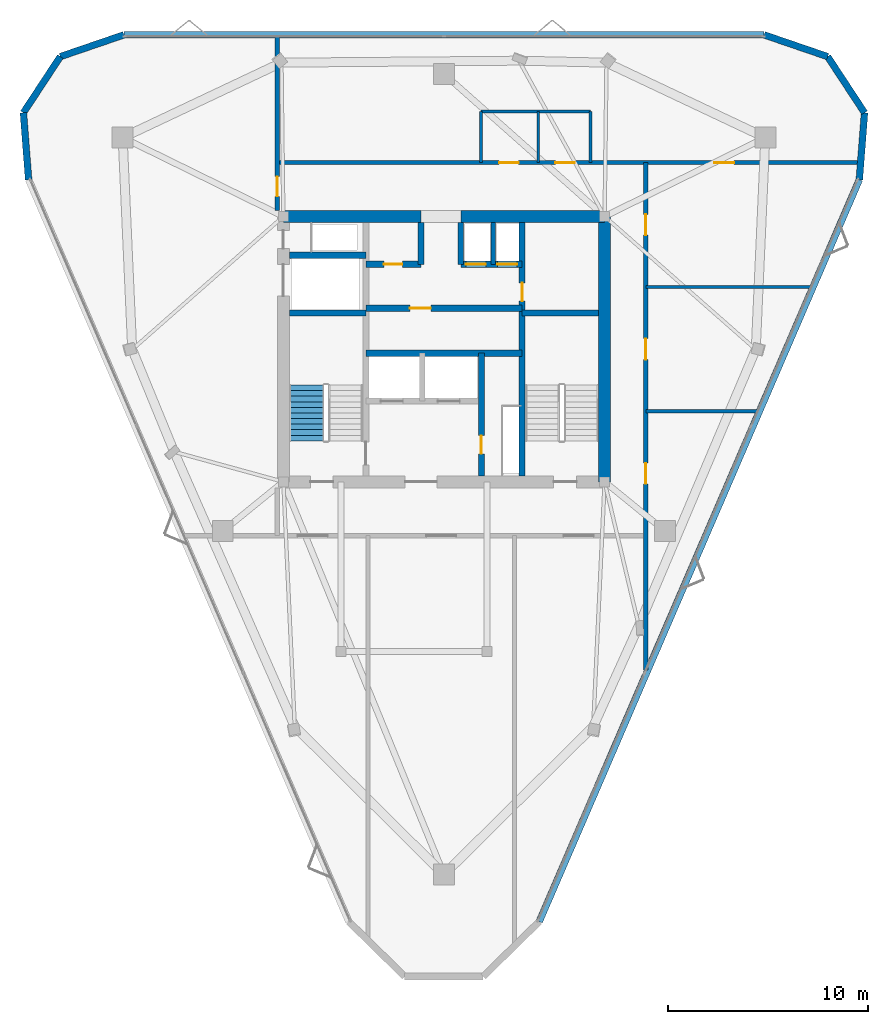
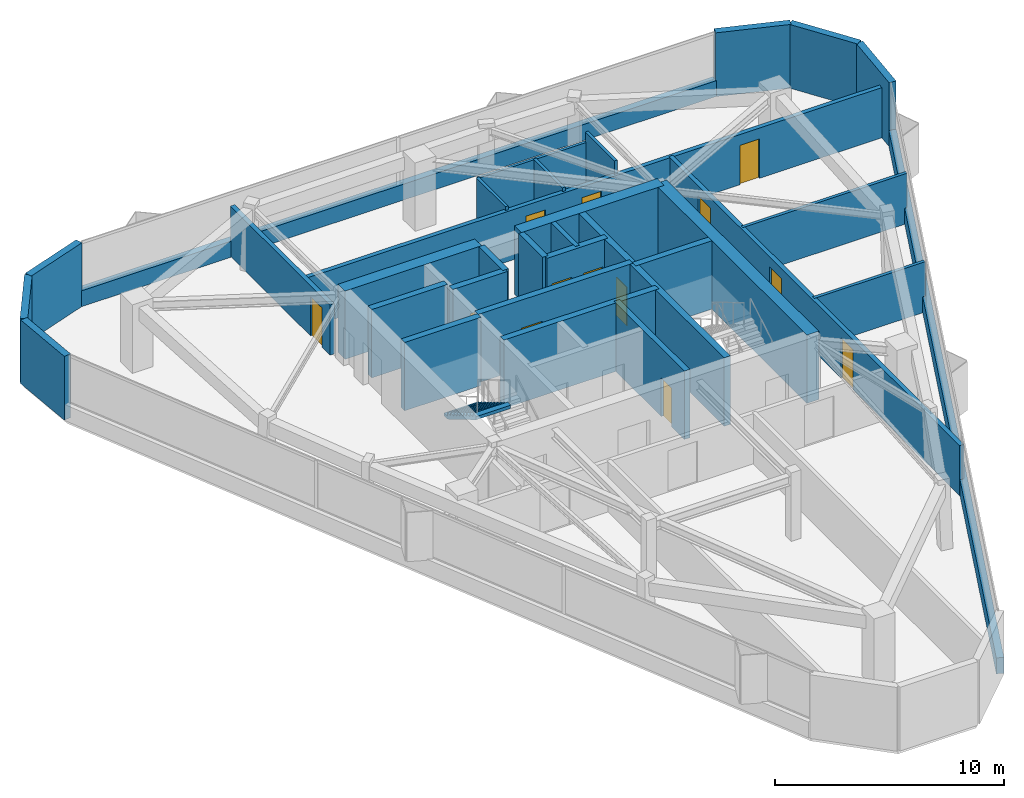
# One storey, part 7 of 9: 32 walls, 13 doors, 1 stair flight, 13 openings, 1 element without a shape of its own.
"""IFC4 building model written with IfcOpenShell, lengths in metres."""

from ifc_helpers import new_model, si_unit, direction, frame, frame_2d, origin, place, context, subcontext, project, spatial, polyline, rectangle, outline, extrude, material, layer, layer_set, type_object, element, fill, aggregate, save


model = new_model("IFC4")

# Units and contexts
model_context = context("Model", 3, precision=1e-05, world=origin(), true_north=direction((0.0, 1.0)))
body_context = subcontext(model_context, "Body", "Model", "MODEL_VIEW")
ifc_project = project(units=[si_unit("LENGTHUNIT", "METRE"), si_unit("AREAUNIT", "SQUARE_METRE"), si_unit("VOLUMEUNIT", "CUBIC_METRE"), si_unit("PLANEANGLEUNIT", "RADIAN"), si_unit("MASSUNIT", "GRAM", prefix="KILO")], contexts=[model_context])

# Site, building, storey
site_placement = place(None, origin())
site = spatial("IfcSite", under=ifc_project, at=site_placement, CompositionType="ELEMENT")
building_placement = place(site_placement, origin())
building = spatial("IfcBuilding", under=site, at=building_placement, Name="Talyreon Biosciences Tower", CompositionType="ELEMENT")
storey_placement = place(building_placement, frame((0.0, 0.0, 298.39990234375)))
storey = spatial("IfcBuildingStorey", under=building, at=storey_placement, Name="L79", CompositionType="ELEMENT", Elevation=298.39990234375)

# Walls
ifc_material_1 = material(Name="Concrete C50/60", Category="concrete")
ifc_layer_1 = layer(ifc_material_1, 0.219970703125)
ifc_layer_set_1 = layer_set([ifc_layer_1], Name="Concrete C50/60")
wall_type_1 = type_object("IfcWallType", Name="CoreShearWall_220", PredefinedType="SHEAR", material=ifc_layer_set_1)
wall_1_placement = place(storey_placement, frame((68.4599609375, 72.25, 0.0), z_axis=(0.0, 0.0, 1.0), x_axis=(0.0, 1.0, 0.0)))
element("IfcWall", 1, at=wall_1_placement, inside=storey, type_object=wall_type_1, Name="L79 Core Shaft Wall SWPHD", PredefinedType="SHEAR", context=body_context, shape_type="SweptSolid", body=[
    extrude(rectangle(XDim=2.10009765625, YDim=0.219970703125, at=frame_2d((1.050048828125, 0.0))), origin(), (0.0, 0.0, 1.0), 3.650146484375),
])
ifc_layer_2 = layer(ifc_material_1, 0.280029296875)
ifc_layer_set_2 = layer_set([ifc_layer_2], Name="Concrete C50/60")
wall_type_2 = type_object("IfcWallType", Name="CoreShearWall_280", PredefinedType="SHEAR", material=ifc_layer_set_2)
for number, where, z_axis, x_axis, name in (
    (2, (64.85009765625, 72.25, 0.0), (0.0, 0.0, 1.0), (0.0, 1.0, 0.0), "L79 Core Shaft Wall SWTHW"),
    (3, (66.85009765625, 72.25, 0.0), (0.0, 0.0, 1.0), (0.0, 1.0, 0.0), "L79 Core Shaft Wall SWTHE"),
):
    element("IfcWall", number, at=place(storey_placement, frame(where, z_axis=z_axis, x_axis=x_axis)), inside=storey, type_object=wall_type_2, Name=name, PredefinedType="SHEAR", context=body_context, shape_type="SweptSolid", body=[
        extrude(rectangle(XDim=2.10009765625, YDim=0.280029296875, at=frame_2d((1.050048828125, 0.0))), origin(), (0.0, 0.0, 1.0), 3.650146484375),
    ])

# Wall, opening, door
wall_2_placement = place(storey_placement, frame((67.8798828125, 61.64990234375, 0.0), z_axis=(0.0, 0.0, 1.0), x_axis=(0.0, 1.0, 0.0)))
wall_2 = element("IfcWall", 4, at=wall_2_placement, inside=storey, type_object=wall_type_2, Name="L79 Core Shaft Wall SWFFE", PredefinedType="SHEAR", context=body_context, shape_type="SweptSolid", body=[
    extrude(rectangle(XDim=6.150146484375, YDim=0.280029296875, at=frame_2d((3.0751953125, 0.0))), origin(), (0.0, 0.0, 1.0), 3.650146484375),
])
opening_1_placement = place(wall_2_placement, frame((1.10009765625, 0.0, 0.0)))
opening_1 = element("IfcOpeningElement", 5, at=opening_1_placement, cuts=wall_2, Name="Opening DR-L79-RSE", PredefinedType="OPENING", context=body_context, shape_type="SweptSolid", body=[
    extrude(rectangle(XDim=0.919921875, YDim=2.050048828125, at=frame_2d((0.4599609375, 1.02490234375))), frame((0.0, 0.14990234375, 0.0), z_axis=(0.0, -1.0, 0.0), x_axis=(1.0, 0.0, 0.0)), (0.0, 0.0, 1.0), 0.300048828125),
])
ifc_material_2 = material(Name="Painted steel fire-rated riser door", Category="steel")
door_type_1 = type_object("IfcDoorType", Name="RiserPlantAccessDoor_920x2050", OperationType="NOTDEFINED", PredefinedType="DOOR", material=ifc_material_2)
door_1_placement = place(opening_1_placement, origin())
door_1 = element("IfcDoor", 6, at=door_1_placement, inside=storey, type_object=door_type_1, Name="L79 Core Door DR-L79-RSE", OperationType="SINGLE_SWING_RIGHT", OverallHeight=2.050048828125, OverallWidth=0.919921875, PredefinedType="DOOR", context=body_context, shape_type="SweptSolid", body=[
    extrude(rectangle(XDim=0.919921875, YDim=2.050048828125, at=frame_2d((0.4599609375, 1.02490234375))), frame((0.0, 0.02490234375, 0.0), z_axis=(0.0, -1.0, 0.0), x_axis=(1.0, 0.0, 0.0)), (0.0, 0.0, 1.0), 0.050048828125),
])
fill(opening_1, door_1)

ifc_layer_3 = layer(ifc_material_1, 0.320068359375)
ifc_layer_set_3 = layer_set([ifc_layer_3], Name="Concrete C50/60")
wall_type_3 = type_object("IfcWallType", Name="CoreShearWall_320", PredefinedType="SHEAR", material=ifc_layer_set_3)
wall_3_placement = place(storey_placement, frame((69.909912109375, 61.64990234375, 0.0), z_axis=(0.0, 0.0, 1.0), x_axis=(0.0, 1.0, 0.0)))
wall_3 = element("IfcWall", 7, at=wall_3_placement, inside=storey, type_object=wall_type_3, Name="L79 Core Shaft Wall SW2W", PredefinedType="SHEAR", context=body_context, shape_type="SweptSolid", body=[
    extrude(rectangle(XDim=12.7001953125, YDim=0.320068359375, at=frame_2d((6.35009765625, 0.0))), origin(), (0.0, 0.0, 1.0), 3.650146484375),
])
opening_2_placement = place(wall_3_placement, frame((8.75, 0.0, 0.0)))
opening_2 = element("IfcOpeningElement", 8, at=opening_2_placement, cuts=wall_3, Name="Opening DR-L79-CSRV", PredefinedType="OPENING", context=body_context, shape_type="SweptSolid", body=[
    extrude(rectangle(XDim=0.919921875, YDim=2.050048828125, at=frame_2d((0.4599609375, 1.02490234375))), frame((0.0, 0.169921875, 0.0), z_axis=(0.0, -1.0, 0.0), x_axis=(1.0, 0.0, 0.0)), (0.0, 0.0, 1.0), 0.340087890625),
])
door_2_placement = place(opening_2_placement, origin())
door_2 = element("IfcDoor", 9, at=door_2_placement, inside=storey, type_object=door_type_1, Name="L79 Core Door DR-L79-CSRV", OperationType="SINGLE_SWING_RIGHT", OverallHeight=2.050048828125, OverallWidth=0.919921875, PredefinedType="DOOR", context=body_context, shape_type="SweptSolid", body=[
    extrude(rectangle(XDim=0.919921875, YDim=2.050048828125, at=frame_2d((0.4599609375, 1.02490234375))), frame((0.0, 0.02490234375, 0.0), z_axis=(0.0, -1.0, 0.0), x_axis=(1.0, 0.0, 0.0)), (0.0, 0.0, 1.0), 0.050048828125),
])
fill(opening_2, door_2)

# Walls
for number, where, z_axis, x_axis, name in (
    (10, (58.25, 69.81005859375, 0.0), (0.0, 0.0, 1.0), (1.0, 0.0, 0.0), "L79 Core Shaft Wall SW1N"),
    (11, (69.909912109375, 69.81005859375, 0.0), (0.0, 0.0, 1.0), (1.0, 0.0, 0.0), "L79 Core Shaft Wall SW2N"),
    (12, (58.25, 72.699951171875, 0.0), (0.0, 0.0, 1.0), (1.0, 0.0, 0.0), "L79 Core Shaft Wall SWGLN"),
):
    element("IfcWall", number, at=place(storey_placement, frame(where, z_axis=z_axis, x_axis=x_axis)), inside=storey, type_object=wall_type_3, Name=name, PredefinedType="SHEAR", context=body_context, shape_type="SweptSolid", body=[
        extrude(rectangle(XDim=3.840087890625, YDim=0.320068359375, at=frame_2d((1.919921875, 0.0))), origin(), (0.0, 0.0, 1.0), 3.650146484375),
    ])
wall_4_placement = place(storey_placement, frame((62.090087890625, 67.800048828125, 0.0), z_axis=(0.0, 0.0, 1.0), x_axis=(1.0, 0.0, 0.0)))
element("IfcWall", 13, at=wall_4_placement, inside=storey, type_object=wall_type_3, Name="L79 Core Shaft Wall SWSHM", PredefinedType="SHEAR", context=body_context, shape_type="SweptSolid", body=[
    extrude(rectangle(XDim=7.81982421875, YDim=0.320068359375, at=frame_2d((3.909912109375, 0.0))), origin(), (0.0, 0.0, 1.0), 3.650146484375),
])

# Wall, opening, door
wall_5_placement = place(storey_placement, frame((62.090087890625, 70.050048828125, 0.0), z_axis=(0.0, 0.0, 1.0), x_axis=(1.0, 0.0, 0.0)))
wall_5 = element("IfcWall", 14, at=wall_5_placement, inside=storey, type_object=wall_type_3, Name="L79 Core Shaft Wall SWSPN", PredefinedType="SHEAR", context=body_context, shape_type="SweptSolid", body=[
    extrude(rectangle(XDim=7.81982421875, YDim=0.320068359375, at=frame_2d((3.909912109375, 0.0))), origin(), (0.0, 0.0, 1.0), 3.650146484375),
])
opening_3_placement = place(wall_5_placement, frame((2.199951171875, 0.0, 0.0)))
opening_3 = element("IfcOpeningElement", 15, at=opening_3_placement, cuts=wall_5, Name="Opening DR-L79-PLPMFREE", PredefinedType="OPENING", context=body_context, shape_type="SweptSolid", body=[
    extrude(rectangle(XDim=1.050048828125, YDim=2.14990234375, at=frame_2d((0.52490234375, 1.074951171875))), frame((0.0, 0.169921875, 0.0), z_axis=(0.0, -1.0, 0.0), x_axis=(1.0, 0.0, 0.0)), (0.0, 0.0, 1.0), 0.340087890625),
])
ifc_material_3 = material(Name="Acoustic timber-core laboratory door", Category="wood")
door_type_2 = type_object("IfcDoorType", Name="DryLabSingleDoor_1050x2150", OperationType="NOTDEFINED", PredefinedType="DOOR", material=ifc_material_3)
door_3_placement = place(opening_3_placement, origin())
door_3 = element("IfcDoor", 16, at=door_3_placement, inside=storey, type_object=door_type_2, Name="L79 Core Door DR-L79-PLPMFREE", OperationType="SINGLE_SWING_LEFT", OverallHeight=2.14990234375, OverallWidth=1.050048828125, PredefinedType="DOOR", context=body_context, shape_type="SweptSolid", body=[
    extrude(rectangle(XDim=1.050048828125, YDim=2.14990234375, at=frame_2d((0.52490234375, 1.074951171875))), frame((0.0, 0.02490234375, 0.0), z_axis=(0.0, -1.0, 0.0), x_axis=(1.0, 0.0, 0.0)), (0.0, 0.0, 1.0), 0.050048828125),
])
fill(opening_3, door_3)

wall_6_placement = place(storey_placement, frame((62.090087890625, 72.25, 0.0), z_axis=(0.0, 0.0, 1.0), x_axis=(1.0, 0.0, 0.0)))
wall_6 = element("IfcWall", 17, at=wall_6_placement, inside=storey, type_object=wall_type_3, Name="L79 Core Shaft Wall SWNPW", PredefinedType="SHEAR", context=body_context, shape_type="SweptSolid", body=[
    extrude(rectangle(XDim=2.760009765625, YDim=0.320068359375, at=frame_2d((1.3798828125, 0.0))), origin(), (0.0, 0.0, 1.0), 3.650146484375),
])
opening_4_placement = place(wall_6_placement, frame((0.89990234375, 0.0, 0.0)))
opening_4 = element("IfcOpeningElement", 18, at=opening_4_placement, cuts=wall_6, Name="Opening DR-L79-PM2FREE", PredefinedType="OPENING", context=body_context, shape_type="SweptSolid", body=[
    extrude(rectangle(XDim=0.919921875, YDim=2.050048828125, at=frame_2d((0.4599609375, 1.02490234375))), frame((0.0, 0.169921875, 0.0), z_axis=(0.0, -1.0, 0.0), x_axis=(1.0, 0.0, 0.0)), (0.0, 0.0, 1.0), 0.340087890625),
])
door_4_placement = place(opening_4_placement, origin())
door_4 = element("IfcDoor", 19, at=door_4_placement, inside=storey, type_object=door_type_1, Name="L79 Core Door DR-L79-PM2FREE", OperationType="SINGLE_SWING_RIGHT", OverallHeight=2.050048828125, OverallWidth=0.919921875, PredefinedType="DOOR", context=body_context, shape_type="SweptSolid", body=[
    extrude(rectangle(XDim=0.919921875, YDim=2.050048828125, at=frame_2d((0.4599609375, 1.02490234375))), frame((0.0, 0.02490234375, 0.0), z_axis=(0.0, -1.0, 0.0), x_axis=(1.0, 0.0, 0.0)), (0.0, 0.0, 1.0), 0.050048828125),
])
fill(opening_4, door_4)

# Wall, openings, doors
wall_7_placement = place(storey_placement, frame((66.85009765625, 72.25, 0.0), z_axis=(0.0, 0.0, 1.0), x_axis=(1.0, 0.0, 0.0)))
wall_7 = element("IfcWall", 20, at=wall_7_placement, inside=storey, type_object=wall_type_3, Name="L79 Core Shaft Wall SWNPE", PredefinedType="SHEAR", context=body_context, shape_type="SweptSolid", body=[
    extrude(rectangle(XDim=3.059814453125, YDim=0.320068359375, at=frame_2d((1.52978515625, 0.0))), origin(), (0.0, 0.0, 1.0), 3.650146484375),
])
opening_5_placement = place(wall_7_placement, frame((0.25, 0.0, 0.0)))
opening_5 = element("IfcOpeningElement", 21, at=opening_5_placement, cuts=wall_7, Name="Opening LD-L79-PH1", PredefinedType="OPENING", context=body_context, shape_type="SweptSolid", body=[
    extrude(rectangle(XDim=1.0, YDim=2.199951171875, at=frame_2d((0.5, 1.10009765625))), frame((0.0, 0.169921875, 0.0), z_axis=(0.0, -1.0, 0.0), x_axis=(1.0, 0.0, 0.0)), (0.0, 0.0, 1.0), 0.340087890625),
])
opening_6_placement = place(wall_7_placement, frame((1.820068359375, 0.0, 0.0)))
opening_6 = element("IfcOpeningElement", 22, at=opening_6_placement, cuts=wall_7, Name="Opening LD-L79-PH2", PredefinedType="OPENING", context=body_context, shape_type="SweptSolid", body=[
    extrude(rectangle(XDim=1.0, YDim=2.199951171875, at=frame_2d((0.5, 1.10009765625))), frame((0.0, 0.169921875, 0.0), z_axis=(0.0, -1.0, 0.0), x_axis=(1.0, 0.0, 0.0)), (0.0, 0.0, 1.0), 0.340087890625),
])
ifc_material_4 = material(Name="Brushed stainless-steel lift landing door", Category="steel")
door_type_3 = type_object("IfcDoorType", Name="LiftSlidingLandingDoor_1100x2200", OperationType="SLIDING_TO_LEFT", PredefinedType="DOOR", material=ifc_material_4)
door_5_placement = place(opening_5_placement, origin())
door_5 = element("IfcDoor", 23, at=door_5_placement, inside=storey, type_object=door_type_3, Name="L79 Core Door LD-L79-PH1", OperationType="SLIDING_TO_LEFT", OverallHeight=2.199951171875, OverallWidth=1.0, PredefinedType="DOOR", context=body_context, shape_type="SweptSolid", body=[
    extrude(rectangle(XDim=1.0, YDim=2.199951171875, at=frame_2d((0.5, 1.10009765625))), frame((0.0, 0.02490234375, 0.0), z_axis=(0.0, -1.0, 0.0), x_axis=(1.0, 0.0, 0.0)), (0.0, 0.0, 1.0), 0.050048828125),
])
fill(opening_5, door_5)
door_6_placement = place(opening_6_placement, origin())
door_6 = element("IfcDoor", 24, at=door_6_placement, inside=storey, type_object=door_type_3, Name="L79 Core Door LD-L79-PH2", OperationType="SLIDING_TO_LEFT", OverallHeight=2.199951171875, OverallWidth=1.0, PredefinedType="DOOR", context=body_context, shape_type="SweptSolid", body=[
    extrude(rectangle(XDim=1.0, YDim=2.199951171875, at=frame_2d((0.5, 1.10009765625))), frame((0.0, 0.02490234375, 0.0), z_axis=(0.0, -1.0, 0.0), x_axis=(1.0, 0.0, 0.0)), (0.0, 0.0, 1.0), 0.050048828125),
])
fill(opening_6, door_6)

# Walls
ifc_layer_4 = layer(ifc_material_1, 0.60009765625)
ifc_layer_set_4 = layer_set([ifc_layer_4], Name="Concrete C50/60")
wall_type_4 = type_object("IfcWallType", Name="CoreShearWall_600", PredefinedType="SHEAR", material=ifc_layer_set_4)
wall_8_placement = place(storey_placement, frame((74.050048828125, 61.35009765625, 0.0), z_axis=(0.0, 0.0, 1.0), x_axis=(0.0, 1.0, 0.0)))
element("IfcWall", 25, at=wall_8_placement, inside=storey, type_object=wall_type_4, Name="L79 Core Shear Wall E", PredefinedType="SHEAR", context=body_context, shape_type="SweptSolid", body=[
    extrude(rectangle(XDim=13.2998046875, YDim=0.60009765625, at=frame_2d((6.64990234375, 0.0))), origin(), (0.0, 0.0, 1.0), 3.650146484375),
])
wall_9_placement = place(storey_placement, frame((74.050048828125, 74.64990234375, 0.0), z_axis=(0.0, 0.0, 1.0), x_axis=(-1.0, 0.0, 0.0)))
element("IfcWall", 26, at=wall_9_placement, inside=storey, type_object=wall_type_4, Name="L79 Core Shear Wall NE", PredefinedType="SHEAR", context=body_context, shape_type="SweptSolid", body=[
    extrude(rectangle(XDim=7.199951171875, YDim=0.60009765625, at=frame_2d((3.60009765625, 0.0))), origin(), (0.0, 0.0, 1.0), 3.650146484375),
])
wall_10_placement = place(storey_placement, frame((64.85009765625, 74.64990234375, 0.0), z_axis=(0.0, 0.0, 1.0), x_axis=(-1.0, 0.0, 0.0)))
element("IfcWall", 27, at=wall_10_placement, inside=storey, type_object=wall_type_4, Name="L79 Core Shear Wall NW", PredefinedType="SHEAR", context=body_context, shape_type="SweptSolid", body=[
    extrude(rectangle(XDim=6.900146484375, YDim=0.60009765625, at=frame_2d((3.4501953125, 0.0))), origin(), (0.0, 0.0, 1.0), 3.650146484375),
])

# Wall, openings, doors
ifc_material_5 = material(Name="Gypsum fireboard acoustic stud", Category="gypsum")
ifc_layer_5 = layer(ifc_material_5, 0.219970703125)
ifc_layer_set_5 = layer_set([ifc_layer_5], Name="Gypsum fireboard acoustic stud")
wall_type_5 = type_object("IfcWallType", Name="CorridorRatedPartition_220", PredefinedType="PARTITIONING", material=ifc_layer_set_5)
wall_11_placement = place(storey_placement, frame((57.64990234375, 77.35009765625, 0.0), z_axis=(0.0, 0.0, 1.0), x_axis=(1.0, 0.0, 0.0)))
wall_11 = element("IfcWall", 28, at=wall_11_placement, inside=storey, type_object=wall_type_5, Name="L79 Interior Wall IW-L79-COR-N", PredefinedType="PARTITIONING", context=body_context, shape_type="SweptSolid", body=[
    extrude(rectangle(XDim=29.148681640625, YDim=0.219970703125, at=frame_2d((14.57421875, 0.0))), origin(), (0.0, 0.0, 1.0), 2.68017578125),
])
opening_7_placement = place(wall_11_placement, frame((11.110107421875, 0.0, 0.0)))
opening_7 = element("IfcOpeningElement", 29, at=opening_7_placement, cuts=wall_11, Name="Opening DR-L79-WC", PredefinedType="OPENING", context=body_context, shape_type="SweptSolid", body=[
    extrude(rectangle(XDim=0.97998046875, YDim=2.10009765625, at=frame_2d((0.489990234375, 1.050048828125))), frame((0.0, 0.119873046875, 0.0), z_axis=(0.0, -1.0, 0.0), x_axis=(1.0, 0.0, 0.0)), (0.0, 0.0, 1.0), 0.239990234375),
])
opening_8_placement = place(wall_11_placement, frame((13.93505859375, 0.0, 0.0)))
opening_8 = element("IfcOpeningElement", 30, at=opening_8_placement, cuts=wall_11, Name="Opening DR-L79-AWC", PredefinedType="OPENING", context=body_context, shape_type="SweptSolid", body=[
    extrude(rectangle(XDim=0.97998046875, YDim=2.10009765625, at=frame_2d((0.489990234375, 1.050048828125))), frame((0.0, 0.119873046875, 0.0), z_axis=(0.0, -1.0, 0.0), x_axis=(1.0, 0.0, 0.0)), (0.0, 0.0, 1.0), 0.239990234375),
])
opening_9_placement = place(wall_11_placement, frame((21.888916015625, 0.0, 0.0)))
opening_9 = element("IfcOpeningElement", 31, at=opening_9_placement, cuts=wall_11, Name="Opening DR-L79-N1A", PredefinedType="OPENING", context=body_context, shape_type="SweptSolid", body=[
    extrude(rectangle(XDim=1.0, YDim=2.10009765625, at=frame_2d((0.5, 1.050048828125))), frame((0.0, 0.119873046875, 0.0), z_axis=(0.0, -1.0, 0.0), x_axis=(1.0, 0.0, 0.0)), (0.0, 0.0, 1.0), 0.239990234375),
])
ifc_material_6 = material(Name="Laminate moisture-resistant door", Category="wood")
door_type_4 = type_object("IfcDoorType", Name="AccessibleToiletDoor_980x2100", OperationType="NOTDEFINED", PredefinedType="DOOR", material=ifc_material_6)
door_7_placement = place(opening_7_placement, origin())
door_7 = element("IfcDoor", 32, at=door_7_placement, inside=storey, type_object=door_type_4, Name="L79 Interior Door DR-L79-WC", OperationType="SINGLE_SWING_RIGHT", OverallHeight=2.10009765625, OverallWidth=0.97998046875, PredefinedType="DOOR", context=body_context, shape_type="SweptSolid", body=[
    extrude(rectangle(XDim=0.97998046875, YDim=2.10009765625, at=frame_2d((0.489990234375, 1.050048828125))), frame((0.0, 0.02490234375, 0.0), z_axis=(0.0, -1.0, 0.0), x_axis=(1.0, 0.0, 0.0)), (0.0, 0.0, 1.0), 0.050048828125),
])
fill(opening_7, door_7)
door_8_placement = place(opening_8_placement, origin())
door_8 = element("IfcDoor", 33, at=door_8_placement, inside=storey, type_object=door_type_4, Name="L79 Interior Door DR-L79-AWC", OperationType="SINGLE_SWING_RIGHT", OverallHeight=2.10009765625, OverallWidth=0.97998046875, PredefinedType="DOOR", context=body_context, shape_type="SweptSolid", body=[
    extrude(rectangle(XDim=0.97998046875, YDim=2.10009765625, at=frame_2d((0.489990234375, 1.050048828125))), frame((0.0, 0.02490234375, 0.0), z_axis=(0.0, -1.0, 0.0), x_axis=(1.0, 0.0, 0.0)), (0.0, 0.0, 1.0), 0.050048828125),
])
fill(opening_8, door_8)
ifc_material_7 = material(Name="Acoustic oak veneer office door", Category="wood")
door_type_5 = type_object("IfcDoorType", Name="WriteupOfficeDoor_1000x2100", OperationType="NOTDEFINED", PredefinedType="DOOR", material=ifc_material_7)
door_9_placement = place(opening_9_placement, origin())
door_9 = element("IfcDoor", 34, at=door_9_placement, inside=storey, type_object=door_type_5, Name="L79 Interior Door DR-L79-N1A", OperationType="SINGLE_SWING_LEFT", OverallHeight=2.10009765625, OverallWidth=1.0, PredefinedType="DOOR", context=body_context, shape_type="SweptSolid", body=[
    extrude(rectangle(XDim=1.0, YDim=2.10009765625, at=frame_2d((0.5, 1.050048828125))), frame((0.0, 0.02490234375, 0.0), z_axis=(0.0, -1.0, 0.0), x_axis=(1.0, 0.0, 0.0)), (0.0, 0.0, 1.0), 0.050048828125),
])
fill(opening_9, door_9)

# Wall, opening, door
wall_12_placement = place(storey_placement, frame((57.64990234375, 74.949951171875, 0.0), z_axis=(0.0, 0.0, 1.0), x_axis=(0.0, 1.0, 0.0)))
wall_12 = element("IfcWall", 35, at=wall_12_placement, inside=storey, type_object=wall_type_5, Name="L79 Interior Wall IW-L79-WCAP-N", PredefinedType="PARTITIONING", context=body_context, shape_type="SweptSolid", body=[
    extrude(rectangle(XDim=8.71533203125, YDim=0.219970703125, at=frame_2d((4.357666015625, 0.0))), origin(), (0.0, 0.0, 1.0), 2.68017578125),
])
opening_10_placement = place(wall_12_placement, frame((0.699951171875, 0.0, 0.0)))
opening_10 = element("IfcOpeningElement", 36, at=opening_10_placement, cuts=wall_12, Name="Opening DR-L79-W1A", PredefinedType="OPENING", context=body_context, shape_type="SweptSolid", body=[
    extrude(rectangle(XDim=1.0, YDim=2.10009765625, at=frame_2d((0.5, 1.050048828125))), frame((0.0, 0.119873046875, 0.0), z_axis=(0.0, -1.0, 0.0), x_axis=(1.0, 0.0, 0.0)), (0.0, 0.0, 1.0), 0.239990234375),
])
door_10_placement = place(opening_10_placement, origin())
door_10 = element("IfcDoor", 37, at=door_10_placement, inside=storey, type_object=door_type_5, Name="L79 Interior Door DR-L79-W1A", OperationType="SINGLE_SWING_RIGHT", OverallHeight=2.10009765625, OverallWidth=1.0, PredefinedType="DOOR", context=body_context, shape_type="SweptSolid", body=[
    extrude(rectangle(XDim=1.0, YDim=2.10009765625, at=frame_2d((0.5, 1.050048828125))), frame((0.0, 0.02490234375, 0.0), z_axis=(0.0, -1.0, 0.0), x_axis=(1.0, 0.0, 0.0)), (0.0, 0.0, 1.0), 0.050048828125),
])
fill(opening_10, door_10)

# Wall, openings, doors
wall_13_placement = place(storey_placement, frame((76.1201171875, 51.91162109375, 0.0), z_axis=(0.0, 0.0, 1.0), x_axis=(0.0, 1.0, 0.0)))
wall_13 = element("IfcWall", 38, at=wall_13_placement, inside=storey, type_object=wall_type_5, Name="L79 Interior Wall IW-L79-COR-E", PredefinedType="PARTITIONING", context=body_context, shape_type="SweptSolid", body=[
    extrude(rectangle(XDim=25.4384765625, YDim=0.219970703125, at=frame_2d((12.71923828125, 0.0))), origin(), (0.0, 0.0, 1.0), 2.68017578125),
])
opening_11_placement = place(wall_13_placement, frame((9.330078125, 0.0, 0.0)))
opening_11 = element("IfcOpeningElement", 39, at=opening_11_placement, cuts=wall_13, Name="Opening DR-L79-E1A", PredefinedType="OPENING", context=body_context, shape_type="SweptSolid", body=[
    extrude(rectangle(XDim=1.050048828125, YDim=2.14990234375, at=frame_2d((0.52490234375, 1.074951171875))), frame((0.0, 0.119873046875, 0.0), z_axis=(0.0, -1.0, 0.0), x_axis=(1.0, 0.0, 0.0)), (0.0, 0.0, 1.0), 0.239990234375),
])
opening_12_placement = place(wall_13_placement, frame((15.56298828125, 0.0, 0.0)))
opening_12 = element("IfcOpeningElement", 40, at=opening_12_placement, cuts=wall_13, Name="Opening DR-L79-E2A", PredefinedType="OPENING", context=body_context, shape_type="SweptSolid", body=[
    extrude(rectangle(XDim=1.050048828125, YDim=2.14990234375, at=frame_2d((0.52490234375, 1.074951171875))), frame((0.0, 0.119873046875, 0.0), z_axis=(0.0, -1.0, 0.0), x_axis=(1.0, 0.0, 0.0)), (0.0, 0.0, 1.0), 0.239990234375),
])
opening_13_placement = place(wall_13_placement, frame((21.797119140625, 0.0, 0.0)))
opening_13 = element("IfcOpeningElement", 41, at=opening_13_placement, cuts=wall_13, Name="Opening DR-L79-E3A", PredefinedType="OPENING", context=body_context, shape_type="SweptSolid", body=[
    extrude(rectangle(XDim=1.050048828125, YDim=2.14990234375, at=frame_2d((0.52490234375, 1.074951171875))), frame((0.0, 0.119873046875, 0.0), z_axis=(0.0, -1.0, 0.0), x_axis=(1.0, 0.0, 0.0)), (0.0, 0.0, 1.0), 0.239990234375),
])
door_11_placement = place(opening_11_placement, origin())
door_11 = element("IfcDoor", 42, at=door_11_placement, inside=storey, type_object=door_type_2, Name="L79 Interior Door DR-L79-E1A", OperationType="SINGLE_SWING_LEFT", OverallHeight=2.14990234375, OverallWidth=1.050048828125, PredefinedType="DOOR", context=body_context, shape_type="SweptSolid", body=[
    extrude(rectangle(XDim=1.050048828125, YDim=2.14990234375, at=frame_2d((0.52490234375, 1.074951171875))), frame((0.0, 0.02490234375, 0.0), z_axis=(0.0, -1.0, 0.0), x_axis=(1.0, 0.0, 0.0)), (0.0, 0.0, 1.0), 0.050048828125),
])
fill(opening_11, door_11)
door_12_placement = place(opening_12_placement, origin())
door_12 = element("IfcDoor", 43, at=door_12_placement, inside=storey, type_object=door_type_2, Name="L79 Interior Door DR-L79-E2A", OperationType="SINGLE_SWING_RIGHT", OverallHeight=2.14990234375, OverallWidth=1.050048828125, PredefinedType="DOOR", context=body_context, shape_type="SweptSolid", body=[
    extrude(rectangle(XDim=1.050048828125, YDim=2.14990234375, at=frame_2d((0.52490234375, 1.074951171875))), frame((0.0, 0.02490234375, 0.0), z_axis=(0.0, -1.0, 0.0), x_axis=(1.0, 0.0, 0.0)), (0.0, 0.0, 1.0), 0.050048828125),
])
fill(opening_12, door_12)
door_13_placement = place(opening_13_placement, origin())
door_13 = element("IfcDoor", 44, at=door_13_placement, inside=storey, type_object=door_type_2, Name="L79 Interior Door DR-L79-E3A", OperationType="SINGLE_SWING_RIGHT", OverallHeight=2.14990234375, OverallWidth=1.050048828125, PredefinedType="DOOR", context=body_context, shape_type="SweptSolid", body=[
    extrude(rectangle(XDim=1.050048828125, YDim=2.14990234375, at=frame_2d((0.52490234375, 1.074951171875))), frame((0.0, 0.02490234375, 0.0), z_axis=(0.0, -1.0, 0.0), x_axis=(1.0, 0.0, 0.0)), (0.0, 0.0, 1.0), 0.050048828125),
])
fill(opening_13, door_13)

# Walls
ifc_material_8 = material(Name="Gypsum acoustic stud partition", Category="gypsum")
ifc_layer_6 = layer(ifc_material_8, 0.159912109375)
ifc_layer_set_6 = layer_set([ifc_layer_6], Name="Gypsum acoustic stud partition")
wall_type_6 = type_object("IfcWallType", Name="LabSeparationPartition_160", PredefinedType="PARTITIONING", material=ifc_layer_set_6)
wall_14_placement = place(storey_placement, frame((76.1201171875, 64.883056640625, 0.0), z_axis=(0.0, 0.0, 1.0), x_axis=(1.0, 0.0, 0.0)))
element("IfcWall", 45, at=wall_14_placement, inside=storey, type_object=wall_type_6, Name="L79 Interior Wall IW-L79-EDIV1", PredefinedType="PARTITIONING", context=body_context, shape_type="SweptSolid", body=[
    extrude(rectangle(XDim=5.59619140625, YDim=0.159912109375, at=frame_2d((2.798095703125, 0.0))), origin(), (0.0, 0.0, 1.0), 2.68017578125),
])
wall_15_placement = place(storey_placement, frame((76.1201171875, 71.116943359375, 0.0), z_axis=(0.0, 0.0, 1.0), x_axis=(1.0, 0.0, 0.0)))
element("IfcWall", 46, at=wall_15_placement, inside=storey, type_object=wall_type_6, Name="L79 Interior Wall IW-L79-EDIV2", PredefinedType="PARTITIONING", context=body_context, shape_type="SweptSolid", body=[
    extrude(rectangle(XDim=8.285888671875, YDim=0.159912109375, at=frame_2d((4.14306640625, 0.0))), origin(), (0.0, 0.0, 1.0), 2.68017578125),
])
ifc_material_9 = material(Name="Precast concrete C45/55", Category="concrete")
ifc_layer_7 = layer(ifc_material_9, 0.340087890625)
ifc_layer_set_7 = layer_set([ifc_layer_7], Name="Precast concrete C45/55")
wall_type_7 = type_object("IfcWallType", Name="PrecastConcreteSpandrelWall_340", PredefinedType="STANDARD", material=ifc_layer_set_7)
wall_16_placement = place(storey_placement, frame((45.18310546875, 76.490478515625, 0.0), z_axis=(0.0, 0.0, 1.0), x_axis=(-0.077517157496, 0.996991018161, 0.0)))
element("IfcWall", 47, at=wall_16_placement, inside=storey, type_object=wall_type_7, Name="L79 Rounded-Corner Concrete Pier 01", PredefinedType="STANDARD", context=body_context, shape_type="SweptSolid", body=[
    extrude(rectangle(XDim=3.36669921875, YDim=0.340087890625, at=frame_2d((1.683349609375, 0.0))), origin(), (0.0, 0.0, 1.0), 3.400146484375),
])
wall_17_placement = place(storey_placement, frame((44.922119140625, 79.84716796875, 0.0), z_axis=(0.0, 0.0, 1.0), x_axis=(0.549468672456, 0.83551431944, 0.0)))
element("IfcWall", 48, at=wall_17_placement, inside=storey, type_object=wall_type_7, Name="L79 Rounded-Corner Concrete Pier 02", PredefinedType="STANDARD", context=body_context, shape_type="SweptSolid", body=[
    extrude(rectangle(XDim=3.3671875, YDim=0.340087890625, at=frame_2d((1.68359375, 0.0))), origin(), (0.0, 0.0, 1.0), 3.400146484375),
])
wall_18_placement = place(storey_placement, frame((46.772216796875, 82.660400390625, 0.0), z_axis=(0.0, 0.0, 1.0), x_axis=(0.946159309449, 0.323701345599, 0.0)))
element("IfcWall", 49, at=wall_18_placement, inside=storey, type_object=wall_type_7, Name="L79 Rounded-Corner Concrete Pier 03", PredefinedType="STANDARD", context=body_context, shape_type="SweptSolid", body=[
    extrude(rectangle(XDim=3.36669921875, YDim=0.340087890625, at=frame_2d((1.683349609375, 0.0))), origin(), (0.0, 0.0, 1.0), 3.400146484375),
])
wall_19_placement = place(storey_placement, frame((49.957763671875, 83.750244140625, 0.0), z_axis=(0.0, 0.0, 1.0), x_axis=(1.0, 0.0, 0.0)))
element("IfcWall", 50, at=wall_19_placement, inside=storey, type_object=wall_type_7, Name="L79 Expressed Concrete Sill Wall 04", PredefinedType="STANDARD", context=body_context, shape_type="SweptSolid", body=[
    extrude(rectangle(XDim=32.08447265625, YDim=0.340087890625, at=frame_2d((16.042236328125, 0.0))), origin(), (0.0, 0.0, 1.0), 0.85009765625),
])
wall_20_placement = place(storey_placement, frame((82.042236328125, 83.750244140625, 0.0), z_axis=(0.0, 0.0, 1.0), x_axis=(0.946159309449, -0.323701345599, 0.0)))
element("IfcWall", 51, at=wall_20_placement, inside=storey, type_object=wall_type_7, Name="L79 Rounded-Corner Concrete Pier 05", PredefinedType="STANDARD", context=body_context, shape_type="SweptSolid", body=[
    extrude(rectangle(XDim=3.36669921875, YDim=0.340087890625, at=frame_2d((1.683349609375, 0.0))), origin(), (0.0, 0.0, 1.0), 3.400146484375),
])
wall_21_placement = place(storey_placement, frame((85.227783203125, 82.660400390625, 0.0), z_axis=(0.0, 0.0, 1.0), x_axis=(0.549468672456, -0.83551431944, 0.0)))
element("IfcWall", 52, at=wall_21_placement, inside=storey, type_object=wall_type_7, Name="L79 Rounded-Corner Concrete Pier 06", PredefinedType="STANDARD", context=body_context, shape_type="SweptSolid", body=[
    extrude(rectangle(XDim=3.3671875, YDim=0.340087890625, at=frame_2d((1.68359375, 0.0))), origin(), (0.0, 0.0, 1.0), 3.400146484375),
])
wall_22_placement = place(storey_placement, frame((87.077880859375, 79.84716796875, 0.0), z_axis=(0.0, 0.0, 1.0), x_axis=(-0.077517157496, -0.996991018161, 0.0)))
element("IfcWall", 53, at=wall_22_placement, inside=storey, type_object=wall_type_7, Name="L79 Rounded-Corner Concrete Pier 07", PredefinedType="STANDARD", context=body_context, shape_type="SweptSolid", body=[
    extrude(rectangle(XDim=3.36669921875, YDim=0.340087890625, at=frame_2d((1.683349609375, 0.0))), origin(), (0.0, 0.0, 1.0), 3.400146484375),
])
wall_23_placement = place(storey_placement, frame((86.81689453125, 76.490478515625, 0.0), z_axis=(0.0, 0.0, 1.0), x_axis=(-0.396144631021, -0.918188124141, 0.0)))
element("IfcWall", 54, at=wall_23_placement, inside=storey, type_object=wall_type_7, Name="L79 Expressed Concrete Sill Wall 08", PredefinedType="STANDARD", context=body_context, shape_type="SweptSolid", body=[
    extrude(rectangle(XDim=40.495849609375, YDim=0.340087890625, at=frame_2d((20.248046875, 0.0))), origin(), (0.0, 0.0, 1.0), 0.85009765625),
])
ifc_material_10 = material(Name="Moisture-resistant cement-board stud", Category="gypsum")
ifc_layer_8 = layer(ifc_material_10, 0.14501953125)
ifc_layer_set_8 = layer_set([ifc_layer_8], Name="Moisture-resistant cement-board stud")
wall_type_8 = type_object("IfcWallType", Name="WetRoomPartition_145", PredefinedType="PARTITIONING", material=ifc_layer_set_8)
for number, where, z_axis, x_axis, name in (
    (55, (67.85009765625, 77.35009765625, 0.0), (0.0, 0.0, 1.0), (0.0, 1.0, 0.0), "L79 Interior Wall IW-L79-WCL"),
    (56, (70.72509765625, 77.35009765625, 0.0), (0.0, 0.0, 1.0), (0.0, 1.0, 0.0), "L79 Interior Wall IW-L79-WCM"),
):
    element("IfcWall", number, at=place(storey_placement, frame(where, z_axis=z_axis, x_axis=x_axis)), inside=storey, type_object=wall_type_8, Name=name, PredefinedType="PARTITIONING", context=body_context, shape_type="SweptSolid", body=[
        extrude(rectangle(XDim=2.5498046875, YDim=0.14501953125, at=frame_2d((1.27490234375, 0.0))), origin(), (0.0, 0.0, 1.0), 2.880126953125),
    ])
wall_24_placement = place(storey_placement, frame((73.35009765625, 77.35009765625, 0.0), z_axis=(0.0, 0.0, 1.0), x_axis=(0.0, 1.0, 0.0)))
element("IfcWall", 57, at=wall_24_placement, inside=storey, type_object=wall_type_8, Name="L79 Interior Wall IW-L79-WCR", PredefinedType="PARTITIONING", context=body_context, shape_type="SweptSolid", body=[
    extrude(rectangle(XDim=2.5498046875, YDim=0.14501953125, at=frame_2d((1.27490234375, 0.0))), origin(), (0.0, 0.0, 1.0), 3.400146484375),
])
wall_25_placement = place(storey_placement, frame((67.85009765625, 79.89990234375, 0.0), z_axis=(0.0, 0.0, 1.0), x_axis=(1.0, 0.0, 0.0)))
element("IfcWall", 58, at=wall_25_placement, inside=storey, type_object=wall_type_8, Name="L79 Interior Wall IW-L79-WCT", PredefinedType="PARTITIONING", context=body_context, shape_type="SweptSolid", body=[
    extrude(rectangle(XDim=5.5, YDim=0.14501953125, at=frame_2d((2.75, 0.0))), origin(), (0.0, 0.0, 1.0), 2.880126953125),
])

# Stair, stair flight
ifc_material_11 = material(Name="Concrete C40/50", Category="concrete")
stair_type = type_object("IfcStairType", Name="DoglegEscapeStair_3650", PredefinedType="HALF_TURN_STAIR", material=ifc_material_11)
stair_placement = place(storey_placement, origin())
stair = element("IfcStair", 59, at=stair_placement, inside=storey, type_object=stair_type, Name="L79 Core Escape Stair 1", PredefinedType="HALF_TURN_STAIR")
stair_flight_type = type_object("IfcStairFlightType", Name="PrecastStairFlight_3650", PredefinedType="STRAIGHT", material=ifc_material_11)
stair_flight_placement = place(storey_placement, frame((59.1201171875, 66.199951171875, 1.8251953125), z_axis=(0.0, 0.0, 1.0), x_axis=(0.0, -1.0, 0.0)))
stair_flight = element("IfcStairFlight", 60, at=stair_flight_placement, type_object=stair_flight_type, Name="ST-1 flight 2", NumberOfRisers=11, NumberOfTreads=10, PredefinedType="STRAIGHT", RiserHeight=0.165909091, TreadLength=0.28, context=body_context, shape_type="SweptSolid", body=[
    extrude(outline(polyline([(0.0, 0.0), (0.0, 0.166015625), (0.280029296875, 0.166015625), (0.280029296875, 0.331787109375), (0.56005859375, 0.331787109375), (0.56005859375, 0.497802734375), (0.840087890625, 0.497802734375), (0.840087890625, 0.66357421875), (1.1201171875, 0.66357421875), (1.1201171875, 0.82958984375), (1.39990234375, 0.82958984375), (1.39990234375, 0.995361328125), (1.679931640625, 0.995361328125), (1.679931640625, 1.161376953125), (1.9599609375, 1.161376953125), (1.9599609375, 1.327392578125), (2.239990234375, 1.327392578125), (2.239990234375, 1.4931640625), (2.52001953125, 1.4931640625), (2.52001953125, 1.6591796875), (2.800048828125, 1.6591796875), (2.800048828125, 1.824951171875), (2.800048828125, 1.48486328125), (0.2939453125, 0.0), (0.0, 0.0)])), frame((0.0, 0.8701171875, 0.0), z_axis=(0.0, -1.0, 0.0), x_axis=(1.0, 0.0, 0.0)), (0.0, 0.0, 1.0), 1.739990234375),
])
aggregate(stair, [stair_flight])

save(model, "model.ifc")
